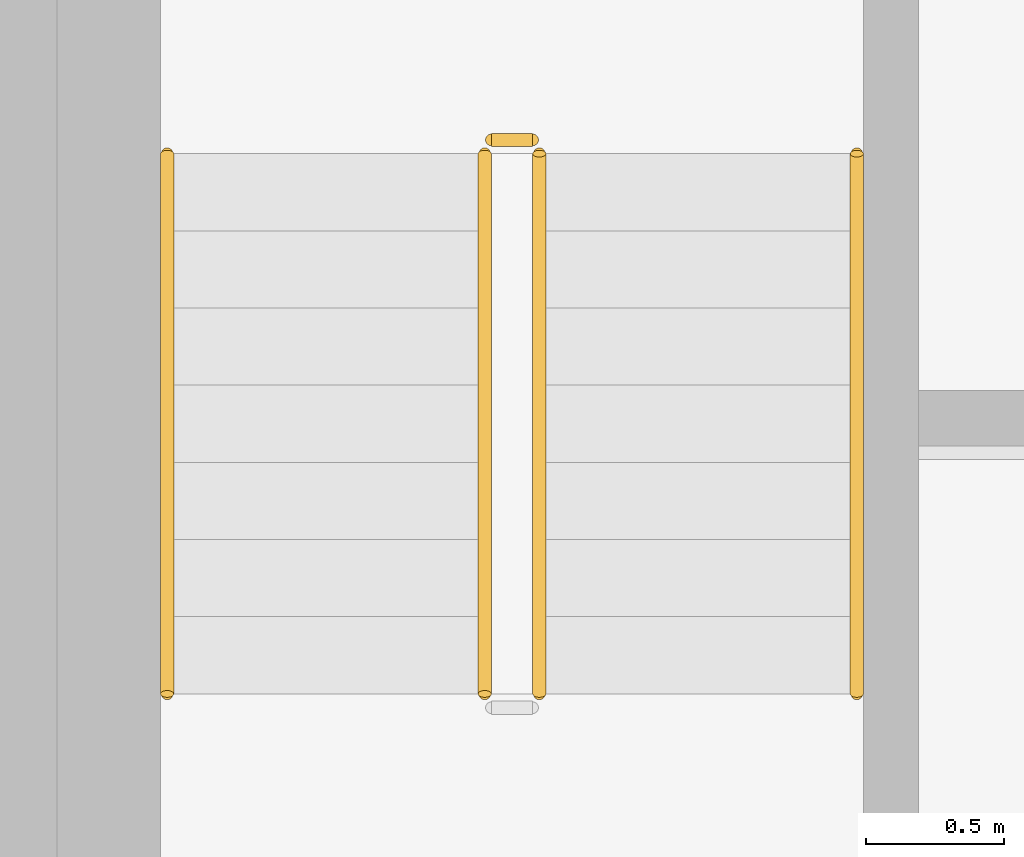
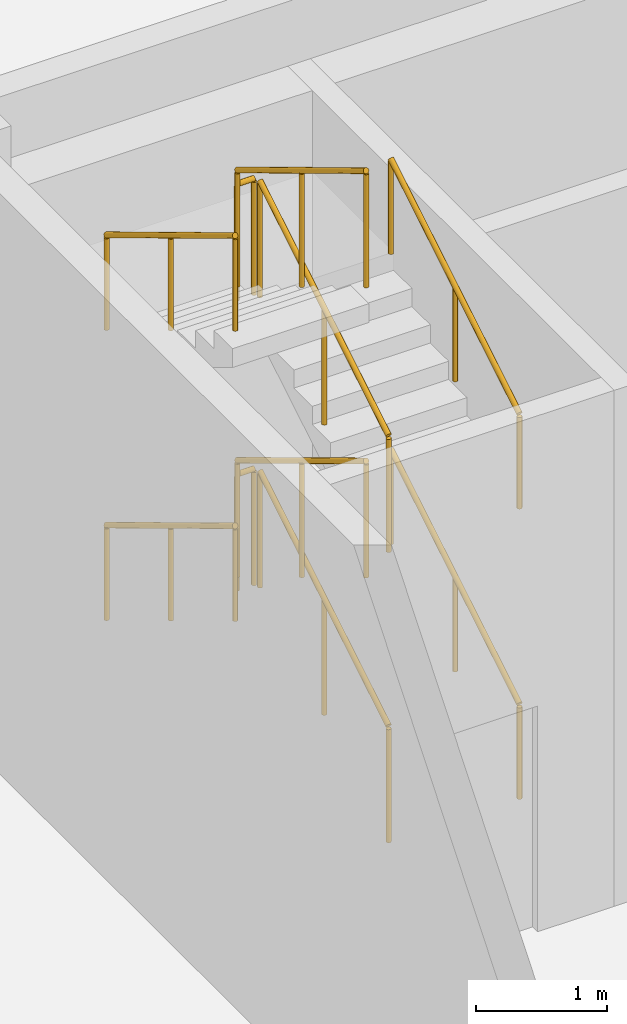
# One storey, part 87 of 101: 10 railings.
"""IFC4 building model written with IfcOpenShell, lengths in metres."""

from ifc_helpers import new_model, si_unit, direction, frame, origin, origin_2d, place, context, subcontext, project, spatial, circle, extrude, material, type_object, element, save


model = new_model("IFC4")

# Units and contexts
model_context = context("Model", 3, precision=1e-05, world=origin(), true_north=direction((0.0, 1.0)))
body_context = subcontext(model_context, "Body", "Model", "MODEL_VIEW")
ifc_project = project(units=[si_unit("LENGTHUNIT", "METRE"), si_unit("AREAUNIT", "SQUARE_METRE"), si_unit("VOLUMEUNIT", "CUBIC_METRE"), si_unit("PLANEANGLEUNIT", "RADIAN"), si_unit("MASSUNIT", "GRAM", prefix="KILO")], contexts=[model_context])

# Site, building, storey
site_placement = place(None, origin())
site = spatial("IfcSite", under=ifc_project, at=site_placement, CompositionType="ELEMENT")
building_placement = place(site_placement, origin())
building = spatial("IfcBuilding", under=site, at=building_placement, Name="Magnolia Steps Interchange", CompositionType="ELEMENT")
storey_placement = place(building_placement, frame((0.0, 0.0, -5.39990234375)))
storey = spatial("IfcBuildingStorey", under=building, at=storey_placement, Name="B1", CompositionType="ELEMENT", Elevation=-5.39990234375)

# Railings
ifc_material_1 = material(Name="Stainless steel grade 304", Category="steel")
railing_type_1 = type_object("IfcRailingType", Name="Stair guard 1100", PredefinedType="GUARDRAIL", material=ifc_material_1)
railing_1_placement = place(storey_placement, frame((130.674072265625, 38.699951171875, 0.168701171875)))
element("IfcRailing", 1, at=railing_1_placement, inside=storey, type_object=railing_type_1, Name="B1 ST21 stair guard 1", PredefinedType="GUARDRAIL", context=body_context, shape_type="SweptSolid", body=[
    extrude(circle(Radius=0.02392578125, at=origin_2d()), frame((0.0, 0.0, 1.076171875), z_axis=(0.0, 0.856493463811, 0.516157869696), x_axis=(-1.0, 0.0, 0.0)), (0.0, 0.0, 1.0), 2.288330078125),
    extrude(circle(Radius=0.02099609375, at=origin_2d()), origin(), (0.0, 0.0, 1.0), 1.052001953125),
    extrude(circle(Radius=0.02099609375, at=origin_2d()), frame((0.0, 0.97998046875, 0.590576171875)), (0.0, 0.0, 1.0), 1.052001953125),
    extrude(circle(Radius=0.02099609375, at=origin_2d()), frame((0.0, 1.9599609375, 1.18115234375)), (0.0, 0.0, 1.0), 1.052001953125),
])
railing_2_placement = place(storey_placement, frame((130.64990234375, 40.7099609375, 1.349853515625)))
element("IfcRailing", 2, at=railing_2_placement, inside=storey, type_object=railing_type_1, Name="B1 ST21 stair guard 2", PredefinedType="GUARDRAIL", context=body_context, shape_type="SweptSolid", body=[
    extrude(circle(Radius=0.02392578125, at=origin_2d()), frame((0.0, 0.0, 1.076171875), z_axis=(-1.0, 0.0, 0.0), x_axis=(0.0, -1.0, 0.0)), (0.0, 0.0, 1.0), 0.14990234375),
    extrude(circle(Radius=0.02099609375, at=origin_2d()), origin(), (0.0, 0.0, 1.0), 1.052001953125),
    extrude(circle(Radius=0.02099609375, at=origin_2d()), frame((-0.14990234375, 0.0, 0.0)), (0.0, 0.0, 1.0), 1.052001953125),
])
railing_3_placement = place(storey_placement, frame((130.47607421875, 40.659912109375, 1.5185546875)))
element("IfcRailing", 3, at=railing_3_placement, inside=storey, type_object=railing_type_1, Name="B1 ST21 stair guard 3", PredefinedType="GUARDRAIL", context=body_context, shape_type="SweptSolid", body=[
    extrude(circle(Radius=0.02392578125, at=origin_2d()), frame((0.0, 0.0, 1.076171875), z_axis=(0.0, -0.856446297458, 0.516236127728), x_axis=(1.0, 0.0, 0.0)), (0.0, 0.0, 1.0), 2.28857421875),
    extrude(circle(Radius=0.02099609375, at=origin_2d()), origin(), (0.0, 0.0, 1.0), 1.052001953125),
    extrude(circle(Radius=0.02099609375, at=origin_2d()), frame((0.0, -0.97998046875, 0.5908203125)), (0.0, 0.0, 1.0), 1.052001953125),
    extrude(circle(Radius=0.02099609375, at=origin_2d()), frame((0.0, -1.9599609375, 1.181396484375)), (0.0, 0.0, 1.0), 1.052001953125),
])
railing_4_placement = place(storey_placement, frame((130.674072265625, 38.699951171875, 2.86865234375)))
element("IfcRailing", 4, at=railing_4_placement, inside=storey, type_object=railing_type_1, Name="B1 ST21 stair guard 5", PredefinedType="GUARDRAIL", context=body_context, shape_type="SweptSolid", body=[
    extrude(circle(Radius=0.02392578125, at=origin_2d()), frame((0.0, 0.0, 1.076171875), z_axis=(0.0, 0.856493463811, 0.516157869696), x_axis=(-1.0, 0.0, 0.0)), (0.0, 0.0, 1.0), 2.288330078125),
    extrude(circle(Radius=0.02099609375, at=origin_2d()), origin(), (0.0, 0.0, 1.0), 1.052001953125),
    extrude(circle(Radius=0.02099609375, at=origin_2d()), frame((0.0, 0.97998046875, 0.590576171875)), (0.0, 0.0, 1.0), 1.052001953125),
    extrude(circle(Radius=0.02099609375, at=origin_2d()), frame((0.0, 1.9599609375, 1.18115234375)), (0.0, 0.0, 1.0), 1.052001953125),
])
railing_5_placement = place(storey_placement, frame((130.64990234375, 40.7099609375, 4.0498046875)))
element("IfcRailing", 5, at=railing_5_placement, inside=storey, type_object=railing_type_1, Name="B1 ST21 stair guard 6", PredefinedType="GUARDRAIL", context=body_context, shape_type="SweptSolid", body=[
    extrude(circle(Radius=0.02392578125, at=origin_2d()), frame((0.0, 0.0, 1.076171875), z_axis=(-1.0, 0.0, 0.0), x_axis=(0.0, -1.0, 0.0)), (0.0, 0.0, 1.0), 0.14990234375),
    extrude(circle(Radius=0.02099609375, at=origin_2d()), origin(), (0.0, 0.0, 1.0), 1.052001953125),
    extrude(circle(Radius=0.02099609375, at=origin_2d()), frame((-0.14990234375, 0.0, 0.0)), (0.0, 0.0, 1.0), 1.052001953125),
])
railing_6_placement = place(storey_placement, frame((130.47607421875, 40.659912109375, 4.21875)))
element("IfcRailing", 6, at=railing_6_placement, inside=storey, type_object=railing_type_1, Name="B1 ST21 stair guard 7", PredefinedType="GUARDRAIL", context=body_context, shape_type="SweptSolid", body=[
    extrude(circle(Radius=0.02392578125, at=origin_2d()), frame((0.0, 0.0, 1.076171875), z_axis=(0.0, -0.856493463811, 0.516157869696), x_axis=(1.0, 0.0, 0.0)), (0.0, 0.0, 1.0), 2.288330078125),
    extrude(circle(Radius=0.02099609375, at=origin_2d()), origin(), (0.0, 0.0, 1.0), 1.052001953125),
    extrude(circle(Radius=0.02099609375, at=origin_2d()), frame((0.0, -0.97998046875, 0.590576171875)), (0.0, 0.0, 1.0), 1.052001953125),
    extrude(circle(Radius=0.02099609375, at=origin_2d()), frame((0.0, -1.9599609375, 1.18115234375)), (0.0, 0.0, 1.0), 1.052001953125),
])
ifc_material_2 = material(Name="Stainless steel grade 304", Category="steel")
railing_type_2 = type_object("IfcRailingType", Name="Stair handrail 900", PredefinedType="HANDRAIL", material=ifc_material_2)
railing_7_placement = place(storey_placement, frame((131.825927734375, 38.699951171875, 0.168701171875)))
element("IfcRailing", 7, at=railing_7_placement, inside=storey, type_object=railing_type_2, Name="B1 ST21 stair handrail 1", PredefinedType="HANDRAIL", context=body_context, shape_type="SweptSolid", body=[
    extrude(circle(Radius=0.02392578125, at=origin_2d()), frame((0.0, 0.0, 0.8759765625), z_axis=(0.0, 0.856493463811, 0.516157869696), x_axis=(-1.0, 0.0, 0.0)), (0.0, 0.0, 1.0), 2.288330078125),
    extrude(circle(Radius=0.02099609375, at=origin_2d()), origin(), (0.0, 0.0, 1.0), 0.851806640625),
    extrude(circle(Radius=0.02099609375, at=origin_2d()), frame((0.0, 0.97998046875, 0.590576171875)), (0.0, 0.0, 1.0), 0.851806640625),
    extrude(circle(Radius=0.02099609375, at=origin_2d()), frame((0.0, 1.9599609375, 1.18115234375)), (0.0, 0.0, 1.0), 0.851806640625),
])
railing_8_placement = place(storey_placement, frame((129.323974609375, 40.659912109375, 1.5185546875)))
element("IfcRailing", 8, at=railing_8_placement, inside=storey, type_object=railing_type_2, Name="B1 ST21 stair handrail 2", PredefinedType="HANDRAIL", context=body_context, shape_type="SweptSolid", body=[
    extrude(circle(Radius=0.02392578125, at=origin_2d()), frame((0.0, 0.0, 0.8759765625), z_axis=(0.0, -0.856446297458, 0.516236127728), x_axis=(1.0, 0.0, 0.0)), (0.0, 0.0, 1.0), 2.28857421875),
    extrude(circle(Radius=0.02099609375, at=origin_2d()), origin(), (0.0, 0.0, 1.0), 0.851806640625),
    extrude(circle(Radius=0.02099609375, at=origin_2d()), frame((0.0, -0.97998046875, 0.5908203125)), (0.0, 0.0, 1.0), 0.851806640625),
    extrude(circle(Radius=0.02099609375, at=origin_2d()), frame((0.0, -1.9599609375, 1.181396484375)), (0.0, 0.0, 1.0), 0.851806640625),
])
railing_9_placement = place(storey_placement, frame((131.825927734375, 38.699951171875, 2.86865234375)))
element("IfcRailing", 9, at=railing_9_placement, inside=storey, type_object=railing_type_2, Name="B1 ST21 stair handrail 3", PredefinedType="HANDRAIL", context=body_context, shape_type="SweptSolid", body=[
    extrude(circle(Radius=0.02392578125, at=origin_2d()), frame((0.0, 0.0, 0.8759765625), z_axis=(0.0, 0.856493463811, 0.516157869696), x_axis=(-1.0, 0.0, 0.0)), (0.0, 0.0, 1.0), 2.288330078125),
    extrude(circle(Radius=0.02099609375, at=origin_2d()), origin(), (0.0, 0.0, 1.0), 0.851806640625),
    extrude(circle(Radius=0.02099609375, at=origin_2d()), frame((0.0, 0.97998046875, 0.590576171875)), (0.0, 0.0, 1.0), 0.851806640625),
    extrude(circle(Radius=0.02099609375, at=origin_2d()), frame((0.0, 1.9599609375, 1.18115234375)), (0.0, 0.0, 1.0), 0.851806640625),
])
railing_10_placement = place(storey_placement, frame((129.323974609375, 40.659912109375, 4.21875)))
element("IfcRailing", 10, at=railing_10_placement, inside=storey, type_object=railing_type_2, Name="B1 ST21 stair handrail 4", PredefinedType="HANDRAIL", context=body_context, shape_type="SweptSolid", body=[
    extrude(circle(Radius=0.02392578125, at=origin_2d()), frame((0.0, 0.0, 0.8759765625), z_axis=(0.0, -0.856493463811, 0.516157869696), x_axis=(1.0, 0.0, 0.0)), (0.0, 0.0, 1.0), 2.288330078125),
    extrude(circle(Radius=0.02099609375, at=origin_2d()), origin(), (0.0, 0.0, 1.0), 0.851806640625),
    extrude(circle(Radius=0.02099609375, at=origin_2d()), frame((0.0, -0.97998046875, 0.590576171875)), (0.0, 0.0, 1.0), 0.851806640625),
    extrude(circle(Radius=0.02099609375, at=origin_2d()), frame((0.0, -1.9599609375, 1.18115234375)), (0.0, 0.0, 1.0), 0.851806640625),
])

save(model, "model.ifc")
